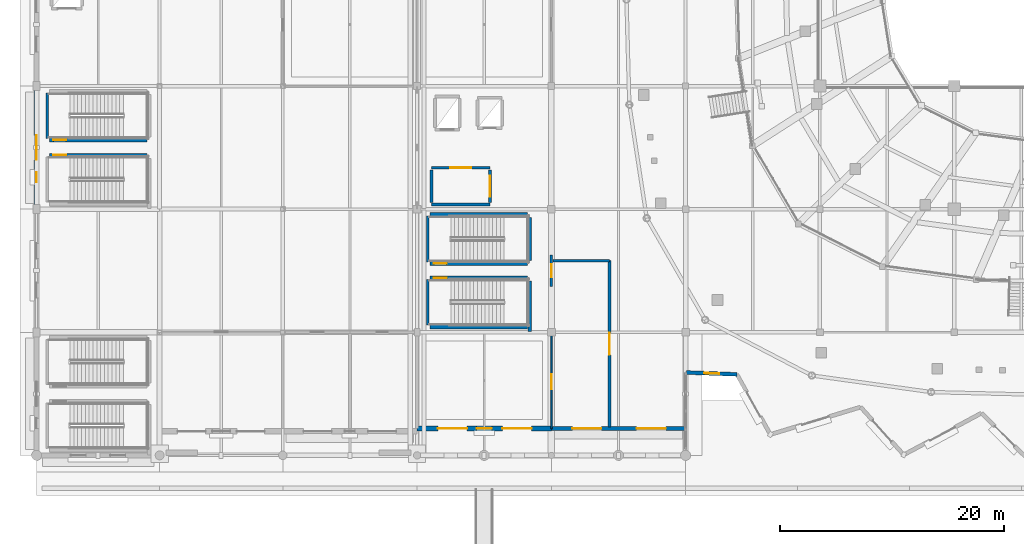
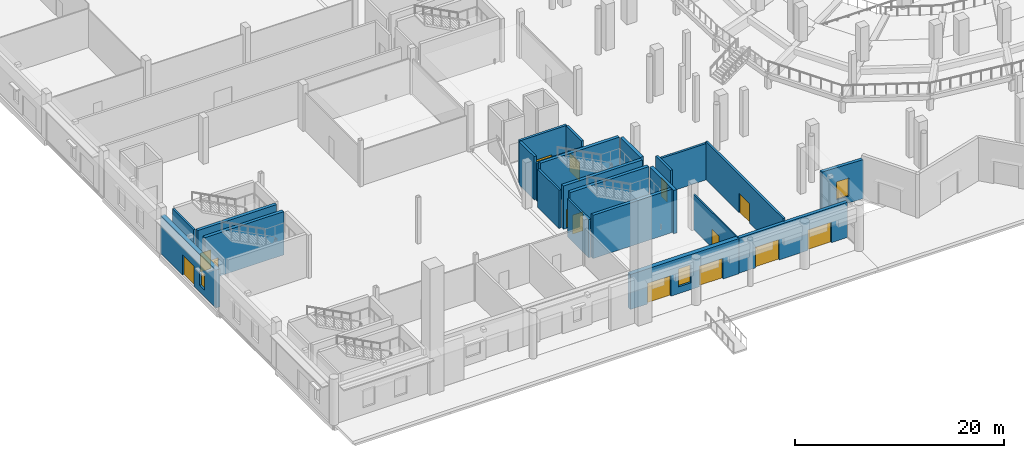
# One storey, part 56 of 120: 23 walls, 14 doors, 3 windows, 17 openings.
"""IFC4 building model written with IfcOpenShell, lengths in metres."""

import ifcopenshell
import ifcopenshell.guid

model = None  # the IFC model being written
_history = None  # IfcOwnerHistory: only IFC2X3 demands one
_inside = {}  # id of a spatial element -> (the spatial element, [elements in it])
_under = {}  # id of a project, library or spatial element -> (it, [spatial elements below it])
_declared = {}  # id of a project -> (the project, [libraries it declares])
_typed = {}  # id of a type object -> (the type object, [elements of that type])
_made_of = {}  # id of a material, layer set ... -> (it, [elements and type objects made of it])


def new_model(schema):
    """Start an empty IFC model of exactly this schema.

    Asked for "IFC4X3", IfcOpenShell would pick the latest addendum, in which some entities
    have other attributes; the version numbers below select the first issue.
    IFC2X3 requires an IfcOwnerHistory on every rooted entity: one is made here for all.
    """
    global model, _history
    if schema == "IFC4X3":
        model = ifcopenshell.file(schema_version=(4, 3, 0, 0))
    else:
        model = ifcopenshell.file(schema=schema)
    _inside.clear()
    _under.clear()
    _declared.clear()
    _typed.clear()
    _made_of.clear()
    _history = None
    if model.schema == "IFC2X3":
        org = make("IfcOrganization", Name="unknown")
        user = make(
            "IfcPersonAndOrganization",
            ThePerson=make("IfcPerson", FamilyName="unknown"),
            TheOrganization=org,
        )
        app = make(
            "IfcApplication",
            ApplicationDeveloper=org,
            Version="unknown",
            ApplicationFullName="unknown",
            ApplicationIdentifier="unknown",
        )
        _history = make(
            "IfcOwnerHistory",
            OwningUser=user,
            OwningApplication=app,
            ChangeAction="ADDED",
            CreationDate=0,
        )
    return model


def make(cls, **values):
    """One entity of the class cls with the attributes given. An attribute that is None is left unset."""
    return model.create_entity(
        cls, **{name: value for name, value in values.items() if value is not None}
    )


def rooted(cls, **values):
    """An entity with a GlobalId (a new one), such as an element, a storey or a relation."""
    return make(cls, GlobalId=ifcopenshell.guid.new(), OwnerHistory=_history, **values)


def si_unit(unit_type, name, prefix=None):
    """IfcSIUnit, for example si_unit("LENGTHUNIT", "METRE", prefix="MILLI")."""
    return make("IfcSIUnit", UnitType=unit_type, Prefix=prefix, Name=name)


def assignment(units):
    """IfcUnitAssignment: the units of a project."""
    return None if units is None else make("IfcUnitAssignment", Units=units)


def point(xyz):
    """IfcCartesianPoint."""
    return None if xyz is None else make("IfcCartesianPoint", Coordinates=xyz)


def direction(xyz):
    """IfcDirection."""
    return None if xyz is None else make("IfcDirection", DirectionRatios=xyz)


def frame(location, z_axis=None, x_axis=None):
    """IfcAxis2Placement3D, a coordinate frame: its origin and axes. An axis left out is left unset."""
    return make(
        "IfcAxis2Placement3D",
        Location=point(location),
        Axis=direction(z_axis),
        RefDirection=direction(x_axis),
    )


def frame_2d(location, x_axis=None):
    """IfcAxis2Placement2D, a coordinate frame in the plane: its origin and x axis."""
    return make(
        "IfcAxis2Placement2D", Location=point(location), RefDirection=direction(x_axis)
    )


def origin():
    """The frame at (0, 0, 0) with its axes left unset."""
    return frame((0.0, 0.0, 0.0))


def place(relative_to, where):
    """IfcLocalPlacement: puts the frame where relative to a parent placement (None: the world)."""
    return make(
        "IfcLocalPlacement", PlacementRelTo=relative_to, RelativePlacement=where
    )


def context(
    kind, dimensions, precision=None, world=None, true_north=None, identifier=None
):
    """IfcGeometricRepresentationContext, for example the 3D "Model" context."""
    return make(
        "IfcGeometricRepresentationContext",
        ContextIdentifier=identifier,
        ContextType=kind,
        CoordinateSpaceDimension=dimensions,
        Precision=precision,
        WorldCoordinateSystem=world,
        TrueNorth=true_north,
    )


def subcontext(parent, identifier, kind, view, scale=None):
    """IfcGeometricRepresentationSubContext, for example "Body" below "Model"."""
    return make(
        "IfcGeometricRepresentationSubContext",
        ContextIdentifier=identifier,
        ContextType=kind,
        ParentContext=parent,
        TargetScale=scale,
        TargetView=view,
    )


def project(units=None, contexts=None):
    """IfcProject with its units and contexts."""
    return rooted(
        "IfcProject",
        Name="project",
        RepresentationContexts=contexts,
        UnitsInContext=assignment(units),
    )


def spatial(cls, under=None, at=None, **own):
    """A site, building, storey or space (cls), placed at a placement, below another one or the project."""
    s = rooted(cls, ObjectPlacement=at, **own)
    if under is not None:
        _under.setdefault(under.id(), (under, []))[1].append(s)
    return s


def profile(cls, at=None, kind="AREA", **sizes):
    """A parametric profile (cls). Its sizes go by their IFC names, for example OverallWidth=200.0."""
    return make(cls, ProfileType=kind, Position=at, **sizes)


def rectangle(**sizes):
    """IfcRectangleProfileDef."""
    return profile("IfcRectangleProfileDef", **sizes)


def extrude(swept, where, along, depth):
    """IfcExtrudedAreaSolid: the profile swept, set in the frame where, extruded along a direction by depth."""
    return make(
        "IfcExtrudedAreaSolid",
        SweptArea=swept,
        Position=where,
        ExtrudedDirection=direction(along),
        Depth=depth,
    )


def shape(context_of_items, identifier, shape_type, items):
    """IfcShapeRepresentation: the items that make up one representation, for example the "Body"."""
    return make(
        "IfcShapeRepresentation",
        ContextOfItems=context_of_items,
        RepresentationIdentifier=identifier,
        RepresentationType=shape_type,
        Items=items,
    )


def material(Name=None, Category=None):
    """IfcMaterial."""
    return make("IfcMaterial", Name=Name, Category=Category)


def layer(
    of_material, thickness, ventilated=None, Name=None, Category=None, Priority=None
):
    """IfcMaterialLayer: one layer of a wall or slab, of a material (None: an air gap)."""
    return make(
        "IfcMaterialLayer",
        Material=of_material,
        LayerThickness=thickness,
        IsVentilated=ventilated,
        Name=Name,
        Category=Category,
        Priority=Priority,
    )


def layer_set(layers, Name=None):
    """IfcMaterialLayerSet."""
    return make("IfcMaterialLayerSet", MaterialLayers=layers, LayerSetName=Name)


def made_of(thing, what):
    """Note that an element or type object is made of a material, layer set ...; save() writes the relation."""
    if what is not None:
        _made_of.setdefault(what.id(), (what, []))[1].append(thing)
    return thing


def type_object(cls, material=None, **own):
    """A type object (cls), such as IfcWallType, which elements share."""
    return made_of(rooted(cls, **own), material)


def element(
    cls,
    number,
    at=None,
    inside=None,
    cuts=None,
    type_object=None,
    material=None,
    context=None,
    identifier="Body",
    shape_type=None,
    held_by="IfcProductDefinitionShape",
    body=None,
    shapes=None,
    **own,
):
    """One element of the class cls, such as IfcWall. Its Tag is "e" and its number.

    at: its placement. inside: the storey or other place that contains it. cuts: it is an
    opening in that element (IfcRelVoidsElement). A single representation is given by context,
    identifier, shape_type and body (its items); several are given by shapes. held_by: the class
    of the entity that holds the representations. save() writes the other relations.
    """
    e = rooted(cls, Tag="e%d" % number, ObjectPlacement=at, **own)
    if body is not None:
        shapes = [shape(context, identifier, shape_type, body)]
    if shapes is not None:
        e.Representation = make(held_by, Representations=shapes)
    if inside is not None:
        _inside.setdefault(inside.id(), (inside, []))[1].append(e)
    if cuts is not None:
        rooted(
            "IfcRelVoidsElement", RelatingBuildingElement=cuts, RelatedOpeningElement=e
        )
    if type_object is not None:
        _typed.setdefault(type_object.id(), (type_object, []))[1].append(e)
    return made_of(e, material)


def fill(opening, filler):
    """IfcRelFillsElement: the door or window that sits in an opening."""
    return rooted(
        "IfcRelFillsElement",
        RelatingOpeningElement=opening,
        RelatedBuildingElement=filler,
    )


def aggregate(whole, parts):
    """IfcRelAggregates: a whole, such as a stair, and the parts it consists of."""
    return rooted("IfcRelAggregates", RelatingObject=whole, RelatedObjects=parts)


def save(model, path):
    """Write the relations noted so far, then the file.

    IfcRelAggregates (storeys below a building ...), IfcRelContainedInSpatialStructure (elements
    in a storey), IfcRelDefinesByType, IfcRelAssociatesMaterial and IfcRelDeclares: one each for
    every whole, place, type object, material and project.
    """
    for whole, parts in _under.values():
        aggregate(whole, parts)
    for where, things in _inside.values():
        rooted(
            "IfcRelContainedInSpatialStructure",
            RelatedElements=things,
            RelatingStructure=where,
        )
    for kind, things in _typed.values():
        rooted("IfcRelDefinesByType", RelatedObjects=things, RelatingType=kind)
    for what, things in _made_of.values():
        rooted("IfcRelAssociatesMaterial", RelatedObjects=things, RelatingMaterial=what)
    for by, libraries in _declared.values():
        rooted("IfcRelDeclares", RelatingContext=by, RelatedDefinitions=libraries)
    model.write(path)


model = new_model("IFC4")

# Units and contexts
model_context = context("Model", 3, precision=1e-05, world=origin(), true_north=direction((0.0, 1.0)))
body_context = subcontext(model_context, "Body", "Model", "MODEL_VIEW")
ifc_project = project(units=[si_unit("LENGTHUNIT", "METRE"), si_unit("AREAUNIT", "SQUARE_METRE"), si_unit("VOLUMEUNIT", "CUBIC_METRE"), si_unit("PLANEANGLEUNIT", "RADIAN"), si_unit("MASSUNIT", "GRAM", prefix="KILO")], contexts=[model_context])

# Site, building, storey
site_placement = place(None, origin())
site = spatial("IfcSite", under=ifc_project, at=site_placement, CompositionType="ELEMENT")
building_placement = place(site_placement, origin())
building = spatial("IfcBuilding", under=site, at=building_placement, Name="Luwafu Chhajja Arena", CompositionType="ELEMENT")
storey_placement = place(building_placement, origin())
storey = spatial("IfcBuildingStorey", under=building, at=storey_placement, Name="L00", CompositionType="ELEMENT", Elevation=0.0)

# Wall, opening, door
ifc_material_1 = material(Name="Concrete blockwork masonry", Category="masonry")
ifc_layer_1 = layer(ifc_material_1, 0.239990234375, Name="Concrete blockwork masonry")
ifc_layer_set_1 = layer_set([ifc_layer_1], Name="Concrete blockwork masonry")
wall_type_1 = type_object("IfcWallType", Name="Compartment Masonry Partition 240", PredefinedType="PARTITIONING", material=ifc_layer_set_1)
wall_1_placement = place(storey_placement, frame((51.199951171875, 2.550048828125, 0.0), z_axis=(0.0, 0.0, 1.0), x_axis=(0.0, 1.0, 0.0)))
wall_1 = element("IfcWall", 1, at=wall_1_placement, inside=storey, type_object=wall_type_1, Name="L00 Protected Exit Passageway EI 120 Wall WXP-C1-E", PredefinedType="PARTITIONING", context=body_context, shape_type="SweptSolid", body=[
    extrude(rectangle(XDim=14.849853515625, YDim=0.239990234375, at=frame_2d((7.4248046875, 0.0))), origin(), (0.0, 0.0, 1.0), 4.4296875),
])
opening_1_placement = place(wall_1_placement, frame((6.425048828125, 0.0, 0.0)))
opening_1 = element("IfcOpeningElement", 2, at=opening_1_placement, cuts=wall_1, Name="Opening DR-08", PredefinedType="OPENING", context=body_context, shape_type="SweptSolid", body=[
    extrude(rectangle(XDim=2.0, YDim=2.25, at=frame_2d((1.0, 1.125))), frame((0.0, 0.1298828125, 0.0), z_axis=(0.0, -1.0, 0.0), x_axis=(1.0, 0.0, 0.0)), (0.0, 0.0, 1.0), 0.260009765625),
])
ifc_material_2 = material(Name="Fire-rated hardwood double leaf", Category="wood")
door_type_1 = type_object("IfcDoorType", Name="DR-08", OperationType="DOUBLE_DOOR_SINGLE_SWING", PredefinedType="DOOR", material=ifc_material_2)
door_1_placement = place(opening_1_placement, origin())
door_1 = element("IfcDoor", 3, at=door_1_placement, inside=storey, type_object=door_type_1, Name="L00 Protected Exit Passageway Fire Door L00-D067", OperationType="DOUBLE_DOOR_SINGLE_SWING", OverallHeight=2.25, OverallWidth=2.0, PredefinedType="DOOR", context=body_context, shape_type="SweptSolid", body=[
    extrude(rectangle(XDim=2.0, YDim=2.25, at=frame_2d((1.0, 1.125))), frame((0.0, 0.02490234375, 0.0), z_axis=(0.0, -1.0, 0.0), x_axis=(1.0, 0.0, 0.0)), (0.0, 0.0, 1.0), 0.050048828125),
])
fill(opening_1, door_1)

# Wall
wall_2_placement = place(storey_placement, frame((46.14990234375, 17.39990234375, 0.0), z_axis=(0.0, 0.0, 1.0), x_axis=(1.0, 0.0, 0.0)))
element("IfcWall", 4, at=wall_2_placement, inside=storey, type_object=wall_type_1, Name="L00 Protected Exit Passageway EI 120 Wall WXP-C1-N", PredefinedType="PARTITIONING", context=body_context, shape_type="SweptSolid", body=[
    extrude(rectangle(XDim=5.050048828125, YDim=0.239990234375, at=frame_2d((2.52490234375, 0.0))), origin(), (0.0, 0.0, 1.0), 4.25),
])

# Wall, opening, door
wall_3_placement = place(storey_placement, frame((46.0, 15.10009765625, 0.0), z_axis=(0.0, 0.0, 1.0), x_axis=(0.0, 1.0, 0.0)))
wall_3 = element("IfcWall", 5, at=wall_3_placement, inside=storey, type_object=wall_type_1, Name="L00 Protected Exit Corridor Mouth Wall WXP-M-C1", PredefinedType="PARTITIONING", context=body_context, shape_type="SweptSolid", body=[
    extrude(rectangle(XDim=2.7998046875, YDim=0.239990234375, at=frame_2d((1.39990234375, 0.0))), origin(), (0.0, 0.0, 1.0), 4.25),
])
opening_2_placement = place(wall_3_placement, frame((0.824951171875, 0.0, 0.0)))
opening_2 = element("IfcOpeningElement", 6, at=opening_2_placement, cuts=wall_3, Name="Opening DR-06", PredefinedType="OPENING", context=body_context, shape_type="SweptSolid", body=[
    extrude(rectangle(XDim=1.14990234375, YDim=2.199951171875, at=frame_2d((0.574951171875, 1.10009765625))), frame((0.0, 0.1298828125, 0.0), z_axis=(0.0, -1.0, 0.0), x_axis=(1.0, 0.0, 0.0)), (0.0, 0.0, 1.0), 0.260009765625),
])
ifc_material_3 = material(Name="Fire-rated hardwood and steel core", Category="steel")
door_type_2 = type_object("IfcDoorType", Name="DR-06", OperationType="NOTDEFINED", PredefinedType="DOOR", material=ifc_material_3)
door_2_placement = place(opening_2_placement, origin())
door_2 = element("IfcDoor", 7, at=door_2_placement, inside=storey, type_object=door_type_2, Name="L00 Protected Exit Corridor Fire Door L00-D074", OperationType="SINGLE_SWING_RIGHT", OverallHeight=2.199951171875, OverallWidth=1.14990234375, PredefinedType="DOOR", context=body_context, shape_type="SweptSolid", body=[
    extrude(rectangle(XDim=1.14990234375, YDim=2.199951171875, at=frame_2d((0.574951171875, 1.10009765625))), frame((0.0, 0.02490234375, 0.0), z_axis=(0.0, -1.0, 0.0), x_axis=(1.0, 0.0, 0.0)), (0.0, 0.0, 1.0), 0.050048828125),
])
fill(opening_2, door_2)

ifc_material_4 = material(Name="Lightweight blockwork partition", Category="masonry")
ifc_layer_2 = layer(ifc_material_4, 0.139892578125, Name="Lightweight blockwork partition")
ifc_layer_set_2 = layer_set([ifc_layer_2], Name="Lightweight blockwork partition")
wall_type_2 = type_object("IfcWallType", Name="Concourse Kiosk Partition 140", PredefinedType="PARTITIONING", material=ifc_layer_set_2)
wall_4_placement = place(storey_placement, frame((46.0, 2.39990234375, 0.0), z_axis=(0.0, 0.0, 1.0), x_axis=(0.0, 1.0, 0.0)))
wall_4 = element("IfcWall", 8, at=wall_4_placement, inside=storey, type_object=wall_type_2, Name="L00 Internal Partition 0156", PredefinedType="PARTITIONING", context=body_context, shape_type="SweptSolid", body=[
    extrude(rectangle(XDim=8.380126953125, YDim=0.139892578125, at=frame_2d((4.18994140625, 0.0))), origin(), (0.0, 0.0, 1.0), 4.10009765625),
])
opening_3_placement = place(wall_4_placement, frame((3.52001953125, 0.0, 0.0)))
opening_3 = element("IfcOpeningElement", 9, at=opening_3_placement, cuts=wall_4, Name="Opening DR-26", PredefinedType="OPENING", context=body_context, shape_type="SweptSolid", body=[
    extrude(rectangle(XDim=1.340087890625, YDim=2.14990234375, at=frame_2d((0.669921875, 1.074951171875))), frame((0.0, 0.079833984375, 0.0), z_axis=(0.0, -1.0, 0.0), x_axis=(1.0, 0.0, 0.0)), (0.0, 0.0, 1.0), 0.159912109375),
])
ifc_material_5 = material(Name="Hardwood service leaf", Category="wood")
door_type_3 = type_object("IfcDoorType", Name="DR-26", OperationType="NOTDEFINED", PredefinedType="DOOR", material=ifc_material_5)
door_3_placement = place(opening_3_placement, origin())
door_3 = element("IfcDoor", 10, at=door_3_placement, inside=storey, type_object=door_type_3, Name="L00 Interior Door L00-D037", OperationType="SINGLE_SWING_LEFT", OverallHeight=2.14990234375, OverallWidth=1.340087890625, PredefinedType="DOOR", context=body_context, shape_type="SweptSolid", body=[
    extrude(rectangle(XDim=1.340087890625, YDim=2.14990234375, at=frame_2d((0.669921875, 1.074951171875))), frame((0.0, 0.02490234375, 0.0), z_axis=(0.0, -1.0, 0.0), x_axis=(1.0, 0.0, 0.0)), (0.0, 0.0, 1.0), 0.050048828125),
])
fill(opening_3, door_3)

ifc_material_6 = material(Name="Concrete C40/50", Category="concrete")
ifc_layer_3 = layer(ifc_material_6, 0.260009765625, Name="Concrete C40/50")
ifc_layer_set_3 = layer_set([ifc_layer_3], Name="Concrete C40/50")
wall_type_3 = type_object("IfcWallType", Name="Firefighting Lobby Wall 260", PredefinedType="SOLIDWALL", material=ifc_layer_set_3)
wall_5_placement = place(storey_placement, frame((35.300048828125, 25.699951171875, 0.0), z_axis=(0.0, 0.0, 1.0), x_axis=(1.0, 0.0, 0.0)))
wall_5 = element("IfcWall", 11, at=wall_5_placement, inside=storey, type_object=wall_type_3, Name="L00 Core C1 Firefighting Lobby Wall N", PredefinedType="SOLIDWALL", context=body_context, shape_type="SweptSolid", body=[
    extrude(rectangle(XDim=5.199951171875, YDim=0.260009765625, at=frame_2d((2.60009765625, 0.0))), origin(), (0.0, 0.0, 1.0), 5.06005859375),
])
opening_4_placement = place(wall_5_placement, frame((1.64990234375, 0.0, 0.0)))
opening_4 = element("IfcOpeningElement", 12, at=opening_4_placement, cuts=wall_5, Name="Opening DR-07", PredefinedType="OPENING", context=body_context, shape_type="SweptSolid", body=[
    extrude(rectangle(XDim=1.89990234375, YDim=2.199951171875, at=frame_2d((0.949951171875, 1.10009765625))), frame((0.0, 0.139892578125, 0.0), z_axis=(0.0, -1.0, 0.0), x_axis=(1.0, 0.0, 0.0)), (0.0, 0.0, 1.0), 0.280029296875),
])
ifc_material_7 = material(Name="Fire-rated hardwood and vision panel", Category="wood")
door_type_4 = type_object("IfcDoorType", Name="DR-07", OperationType="DOUBLE_DOOR_SINGLE_SWING", PredefinedType="DOOR", material=ifc_material_7)
door_4_placement = place(opening_4_placement, origin())
door_4 = element("IfcDoor", 13, at=door_4_placement, inside=storey, type_object=door_type_4, Name="L00 Firefighting Lobby C1 Door L00-D003", OperationType="DOUBLE_DOOR_SINGLE_SWING", OverallHeight=2.199951171875, OverallWidth=1.89990234375, PredefinedType="DOOR", context=body_context, shape_type="SweptSolid", body=[
    extrude(rectangle(XDim=1.89990234375, YDim=2.199951171875, at=frame_2d((0.949951171875, 1.10009765625))), frame((0.0, 0.02490234375, 0.0), z_axis=(0.0, -1.0, 0.0), x_axis=(1.0, 0.0, 0.0)), (0.0, 0.0, 1.0), 0.050048828125),
])
fill(opening_4, door_4)

# Walls
wall_6_placement = place(storey_placement, frame((35.300048828125, 22.39990234375, 0.0), z_axis=(0.0, 0.0, 1.0), x_axis=(1.0, 0.0, 0.0)))
element("IfcWall", 14, at=wall_6_placement, inside=storey, type_object=wall_type_3, Name="L00 Core C1 Firefighting Lobby Wall S", PredefinedType="SOLIDWALL", context=body_context, shape_type="SweptSolid", body=[
    extrude(rectangle(XDim=5.199951171875, YDim=0.260009765625, at=frame_2d((2.60009765625, 0.0))), origin(), (0.0, 0.0, 1.0), 4.437744140625),
])
wall_7_placement = place(storey_placement, frame((35.300048828125, 22.60009765625, 0.0), z_axis=(0.0, 0.0, 1.0), x_axis=(0.0, 1.0, 0.0)))
element("IfcWall", 15, at=wall_7_placement, inside=storey, type_object=wall_type_3, Name="L00 Core C1 Firefighting Lobby Wall W", PredefinedType="SOLIDWALL", context=body_context, shape_type="SweptSolid", body=[
    extrude(rectangle(XDim=2.89990234375, YDim=0.260009765625, at=frame_2d((1.449951171875, 0.0))), origin(), (0.0, 0.0, 1.0), 5.06005859375),
])

# Wall, opening, door
wall_8_placement = place(storey_placement, frame((40.5, 22.60009765625, 0.0), z_axis=(0.0, 0.0, 1.0), x_axis=(0.0, 1.0, 0.0)))
wall_8 = element("IfcWall", 16, at=wall_8_placement, inside=storey, type_object=wall_type_3, Name="L00 Core C1 Firefighting Lobby Wall E", PredefinedType="SOLIDWALL", context=body_context, shape_type="SweptSolid", body=[
    extrude(rectangle(XDim=2.89990234375, YDim=0.260009765625, at=frame_2d((1.449951171875, 0.0))), origin(), (0.0, 0.0, 1.0), 5.06005859375),
])
opening_5_placement = place(wall_8_placement, frame((0.5, 0.0, 0.0)))
opening_5 = element("IfcOpeningElement", 17, at=opening_5_placement, cuts=wall_8, Name="Opening DR-07", PredefinedType="OPENING", context=body_context, shape_type="SweptSolid", body=[
    extrude(rectangle(XDim=1.89990234375, YDim=2.199951171875, at=frame_2d((0.949951171875, 1.10009765625))), frame((0.0, 0.139892578125, 0.0), z_axis=(0.0, -1.0, 0.0), x_axis=(1.0, 0.0, 0.0)), (0.0, 0.0, 1.0), 0.280029296875),
])
door_5_placement = place(opening_5_placement, origin())
door_5 = element("IfcDoor", 18, at=door_5_placement, inside=storey, type_object=door_type_4, Name="L00 Firefighting Lobby C1 Door L00-D004", OperationType="DOUBLE_DOOR_SINGLE_SWING", OverallHeight=2.199951171875, OverallWidth=1.89990234375, PredefinedType="DOOR", context=body_context, shape_type="SweptSolid", body=[
    extrude(rectangle(XDim=1.89990234375, YDim=2.199951171875, at=frame_2d((0.949951171875, 1.10009765625))), frame((0.0, 0.02490234375, 0.0), z_axis=(0.0, -1.0, 0.0), x_axis=(1.0, 0.0, 0.0)), (0.0, 0.0, 1.0), 0.050048828125),
])
fill(opening_5, door_5)

# Wall, openings, window, doors
ifc_layer_4 = layer(ifc_material_6, 0.47998046875, Name="Concrete C40/50")
ifc_layer_set_4 = layer_set([ifc_layer_4], Name="Concrete C40/50")
wall_type_4 = type_object("IfcWallType", Name="Pishtaq Portal Ashlar Wall 480", PredefinedType="SOLIDWALL", material=ifc_layer_set_4)
wall_9_placement = place(storey_placement, frame((34.0, 2.39990234375, 0.0), z_axis=(0.0, 0.0, 1.0), x_axis=(1.0, 0.0, 0.0)))
wall_9 = element("IfcWall", 19, at=wall_9_placement, inside=storey, type_object=wall_type_4, Name="L00 Exterior Wall WEX-L00-068", PredefinedType="SOLIDWALL", context=body_context, shape_type="SweptSolid", body=[
    extrude(rectangle(XDim=12.0, YDim=0.47998046875, at=frame_2d((6.0, 0.0))), origin(), (0.0, 0.0, 1.0), 4.10009765625),
])
opening_6_placement = place(wall_9_placement, frame((1.8701171875, 0.0, 0.0)))
opening_6 = element("IfcOpeningElement", 20, at=opening_6_placement, cuts=wall_9, Name="Opening DR-01", PredefinedType="OPENING", context=body_context, shape_type="SweptSolid", body=[
    extrude(rectangle(XDim=2.60009765625, YDim=2.39990234375, at=frame_2d((1.300048828125, 1.199951171875))), frame((0.0, 0.25, 0.0), z_axis=(0.0, -1.0, 0.0), x_axis=(1.0, 0.0, 0.0)), (0.0, 0.0, 1.0), 0.5),
])
opening_7_placement = place(wall_9_placement, frame((7.6298828125, 0.0, 0.0)))
opening_7 = element("IfcOpeningElement", 21, at=opening_7_placement, cuts=wall_9, Name="Opening DR-01", PredefinedType="OPENING", context=body_context, shape_type="SweptSolid", body=[
    extrude(rectangle(XDim=2.60009765625, YDim=2.39990234375, at=frame_2d((1.300048828125, 1.199951171875))), frame((0.0, 0.25, 0.0), z_axis=(0.0, -1.0, 0.0), x_axis=(1.0, 0.0, 0.0)), (0.0, 0.0, 1.0), 0.5),
])
opening_8_placement = place(wall_9_placement, frame((5.324951171875, 0.0, 0.800048828125)))
opening_8 = element("IfcOpeningElement", 22, at=opening_8_placement, cuts=wall_9, Name="Opening WN-17", PredefinedType="OPENING", context=body_context, shape_type="SweptSolid", body=[
    extrude(rectangle(XDim=1.35009765625, YDim=2.10009765625, at=frame_2d((0.675048828125, 1.050048828125))), frame((0.0, 0.25, 0.0), z_axis=(0.0, -1.0, 0.0), x_axis=(1.0, 0.0, 0.0)), (0.0, 0.0, 1.0), 0.5),
])
ifc_material_8 = material(Name="Solar-control laminated glass", Category="glass")
window_type_1 = type_object("IfcWindowType", Name="Exhibition Mezzanine Lancet Window 1350x2100", PartitioningType="SINGLE_PANEL", PredefinedType="WINDOW", material=ifc_material_8)
window_1_placement = place(opening_8_placement, origin())
window_1 = element("IfcWindow", 23, at=window_1_placement, inside=storey, type_object=window_type_1, Name="L00 Facade Window 268", OverallHeight=2.10009765625, OverallWidth=1.35009765625, PartitioningType="SINGLE_PANEL", PredefinedType="WINDOW", context=body_context, shape_type="SweptSolid", body=[
    extrude(rectangle(XDim=1.35009765625, YDim=2.10009765625, at=frame_2d((0.675048828125, 1.050048828125))), frame((0.0, 0.030029296875, 0.0), z_axis=(0.0, -1.0, 0.0), x_axis=(1.0, 0.0, 0.0)), (0.0, 0.0, 1.0), 0.06005859375),
])
fill(opening_8, window_1)
ifc_material_9 = material(Name="Anodised bronze aluminium and toughened glass", Category="aluminium")
door_type_5 = type_object("IfcDoorType", Name="DR-01", OperationType="DOUBLE_DOOR_SINGLE_SWING", PredefinedType="DOOR", material=ifc_material_9)
door_6_placement = place(opening_6_placement, frame((2.60009765625, 0.0, 0.0), z_axis=(0.0, 0.0, 1.0), x_axis=(-1.0, 0.0, 0.0)))
door_6 = element("IfcDoor", 24, at=door_6_placement, inside=storey, type_object=door_type_5, Name="Stair Exit Discharge Door SX-01", OperationType="DOUBLE_DOOR_SINGLE_SWING", OverallHeight=2.39990234375, OverallWidth=2.60009765625, PredefinedType="DOOR", context=body_context, shape_type="SweptSolid", body=[
    extrude(rectangle(XDim=2.60009765625, YDim=2.39990234375, at=frame_2d((1.300048828125, 1.199951171875))), frame((0.0, 0.02490234375, 0.0), z_axis=(0.0, -1.0, 0.0), x_axis=(1.0, 0.0, 0.0)), (0.0, 0.0, 1.0), 0.050048828125),
])
fill(opening_6, door_6)
door_7_placement = place(opening_7_placement, frame((2.60009765625, 0.0, 0.0), z_axis=(0.0, 0.0, 1.0), x_axis=(-1.0, 0.0, 0.0)))
door_7 = element("IfcDoor", 25, at=door_7_placement, inside=storey, type_object=door_type_5, Name="Stair Exit Discharge Door SX-02", OperationType="DOUBLE_DOOR_SINGLE_SWING", OverallHeight=2.39990234375, OverallWidth=2.60009765625, PredefinedType="DOOR", context=body_context, shape_type="SweptSolid", body=[
    extrude(rectangle(XDim=2.60009765625, YDim=2.39990234375, at=frame_2d((1.300048828125, 1.199951171875))), frame((0.0, 0.02490234375, 0.0), z_axis=(0.0, -1.0, 0.0), x_axis=(1.0, 0.0, 0.0)), (0.0, 0.0, 1.0), 0.050048828125),
])
fill(opening_7, door_7)

# Wall, opening, window
ifc_material_10 = material(Name="Precast concrete C40/50", Category="concrete")
ifc_layer_5 = layer(ifc_material_10, 0.340087890625, Name="Precast concrete C40/50")
ifc_layer_set_5 = layer_set([ifc_layer_5], Name="Precast concrete C40/50")
wall_type_5 = type_object("IfcWallType", Name="Pleated Bowl V-Fold Wall 340", PredefinedType="USERDEFINED", material=ifc_layer_set_5)
wall_10_placement = place(storey_placement, frame((58.080078125, 7.405517578125, 0.0), z_axis=(0.0, 0.0, 1.0), x_axis=(0.999296191983, -0.037511607381, 0.0)))
wall_10 = element("IfcWall", 26, at=wall_10_placement, inside=storey, type_object=wall_type_5, Name="L00 Pleated Bowl V-Fold Wall 41", ObjectType="PLEATED FACADE WALL", PredefinedType="USERDEFINED", context=body_context, shape_type="SweptSolid", body=[
    extrude(rectangle(XDim=4.497314453125, YDim=0.340087890625, at=frame_2d((2.24853515625, 0.0))), origin(), (0.0, 0.0, 1.0), 4.550048828125),
])
opening_9_placement = place(wall_10_placement, frame((1.573486328125, 0.0, 0.800048828125)))
opening_9 = element("IfcOpeningElement", 27, at=opening_9_placement, cuts=wall_10, Name="Opening WN-17", PredefinedType="OPENING", context=body_context, shape_type="SweptSolid", body=[
    extrude(rectangle(XDim=1.35009765625, YDim=2.10009765625, at=frame_2d((0.675048828125, 1.050048828125))), frame((0.0, 0.179931640625, 0.0), z_axis=(0.0, -1.0, 0.0), x_axis=(1.0, 0.0, 0.0)), (0.0, 0.0, 1.0), 0.360107421875),
])
window_2_placement = place(opening_9_placement, origin())
window_2 = element("IfcWindow", 28, at=window_2_placement, inside=storey, type_object=window_type_1, Name="L00 Pleated Bowl Lancet Window 001", OverallHeight=2.10009765625, OverallWidth=1.35009765625, PartitioningType="SINGLE_PANEL", PredefinedType="WINDOW", context=body_context, shape_type="SweptSolid", body=[
    extrude(rectangle(XDim=1.35009765625, YDim=2.10009765625, at=frame_2d((0.675048828125, 1.050048828125))), frame((0.0, 0.030029296875, 0.0), z_axis=(0.0, -1.0, 0.0), x_axis=(1.0, 0.0, 0.0)), (0.0, 0.0, 1.0), 0.06005859375),
])
fill(opening_9, window_2)

# Walls
ifc_layer_6 = layer(ifc_material_6, 0.35009765625, Name="Concrete C40/50")
ifc_layer_set_6 = layer_set([ifc_layer_6], Name="Concrete C40/50")
wall_type_6 = type_object("IfcWallType", Name="RC Core Shear Wall 350", PredefinedType="SOLIDWALL", material=ifc_layer_set_6)
wall_11_placement = place(storey_placement, frame((44.072021484375, 11.050048828125, 0.0), z_axis=(0.0, 0.0, 1.0), x_axis=(0.0, 1.0, 0.0)))
element("IfcWall", 29, at=wall_11_placement, inside=storey, type_object=wall_type_6, Name="L00 Stair ST-01 Core Shear Wall E", PredefinedType="SOLIDWALL", context=body_context, shape_type="SweptSolid", body=[
    extrude(rectangle(XDim=4.5400390625, YDim=0.35009765625, at=frame_2d((2.27001953125, 0.0))), origin(), (0.0, 0.0, 1.0), 5.06005859375),
])
wall_12_placement = place(storey_placement, frame((35.14990234375, 11.47802734375, 0.0), z_axis=(0.0, 0.0, 1.0), x_axis=(1.0, 0.0, 0.0)))
element("IfcWall", 30, at=wall_12_placement, inside=storey, type_object=wall_type_6, Name="L00 Stair ST-01 Core Shear Wall S", PredefinedType="SOLIDWALL", context=body_context, shape_type="SweptSolid", body=[
    extrude(rectangle(XDim=8.7001953125, YDim=0.35009765625, at=frame_2d((4.35009765625, 0.0))), origin(), (0.0, 0.0, 1.0), 5.06005859375),
])

# Wall, opening, door
wall_13_placement = place(storey_placement, frame((35.14990234375, 15.862060546875, 0.0), z_axis=(0.0, 0.0, 1.0), x_axis=(1.0, 0.0, 0.0)))
wall_13 = element("IfcWall", 31, at=wall_13_placement, inside=storey, type_object=wall_type_6, Name="L00 Stair ST-01 Core Shear Wall N", PredefinedType="SOLIDWALL", context=body_context, shape_type="SweptSolid", body=[
    extrude(rectangle(XDim=8.7001953125, YDim=0.35009765625, at=frame_2d((4.35009765625, 0.0))), origin(), (0.0, 0.0, 1.0), 5.06005859375),
])
opening_10_placement = place(wall_13_placement, frame((0.35009765625, 0.0, 0.0)))
opening_10 = element("IfcOpeningElement", 32, at=opening_10_placement, cuts=wall_13, Name="Opening DR-06", PredefinedType="OPENING", context=body_context, shape_type="SweptSolid", body=[
    extrude(rectangle(XDim=1.14990234375, YDim=2.199951171875, at=frame_2d((0.574951171875, 1.10009765625))), frame((0.0, 0.18505859375, 0.0), z_axis=(0.0, -1.0, 0.0), x_axis=(1.0, 0.0, 0.0)), (0.0, 0.0, 1.0), 0.3701171875),
])
door_8_placement = place(opening_10_placement, origin())
door_8 = element("IfcDoor", 33, at=door_8_placement, inside=storey, type_object=door_type_2, Name="L00 Escape Stair ST-01 Fire Door L00-D001", OperationType="SINGLE_SWING_RIGHT", OverallHeight=2.199951171875, OverallWidth=1.14990234375, PredefinedType="DOOR", context=body_context, shape_type="SweptSolid", body=[
    extrude(rectangle(XDim=1.14990234375, YDim=2.199951171875, at=frame_2d((0.574951171875, 1.10009765625))), frame((0.0, 0.02490234375, 0.0), z_axis=(0.0, -1.0, 0.0), x_axis=(1.0, 0.0, 0.0)), (0.0, 0.0, 1.0), 0.050048828125),
])
fill(opening_10, door_8)

# Wall
wall_14_placement = place(storey_placement, frame((44.072021484375, 17.409912109375, 0.0), z_axis=(0.0, 0.0, 1.0), x_axis=(0.0, 1.0, 0.0)))
element("IfcWall", 34, at=wall_14_placement, inside=storey, type_object=wall_type_6, Name="L00 Stair ST-02 Core Shear Wall E", PredefinedType="SOLIDWALL", context=body_context, shape_type="SweptSolid", body=[
    extrude(rectangle(XDim=3.840087890625, YDim=0.35009765625, at=frame_2d((1.919921875, 0.0))), origin(), (0.0, 0.0, 1.0), 5.06005859375),
])

# Wall, opening, door
wall_15_placement = place(storey_placement, frame((35.14990234375, 17.137939453125, 0.0), z_axis=(0.0, 0.0, 1.0), x_axis=(1.0, 0.0, 0.0)))
wall_15 = element("IfcWall", 35, at=wall_15_placement, inside=storey, type_object=wall_type_6, Name="L00 Stair ST-02 Core Shear Wall S", PredefinedType="SOLIDWALL", context=body_context, shape_type="SweptSolid", body=[
    extrude(rectangle(XDim=8.7001953125, YDim=0.35009765625, at=frame_2d((4.35009765625, 0.0))), origin(), (0.0, 0.0, 1.0), 5.06005859375),
])
opening_11_placement = place(wall_15_placement, frame((0.35009765625, 0.0, 0.0)))
opening_11 = element("IfcOpeningElement", 36, at=opening_11_placement, cuts=wall_15, Name="Opening DR-06", PredefinedType="OPENING", context=body_context, shape_type="SweptSolid", body=[
    extrude(rectangle(XDim=1.14990234375, YDim=2.199951171875, at=frame_2d((0.574951171875, 1.10009765625))), frame((0.0, 0.18505859375, 0.0), z_axis=(0.0, -1.0, 0.0), x_axis=(1.0, 0.0, 0.0)), (0.0, 0.0, 1.0), 0.3701171875),
])
door_9_placement = place(opening_11_placement, origin())
door_9 = element("IfcDoor", 37, at=door_9_placement, inside=storey, type_object=door_type_2, Name="L00 Escape Stair ST-02 Fire Door L00-D002", OperationType="SINGLE_SWING_LEFT", OverallHeight=2.199951171875, OverallWidth=1.14990234375, PredefinedType="DOOR", context=body_context, shape_type="SweptSolid", body=[
    extrude(rectangle(XDim=1.14990234375, YDim=2.199951171875, at=frame_2d((0.574951171875, 1.10009765625))), frame((0.0, 0.02490234375, 0.0), z_axis=(0.0, -1.0, 0.0), x_axis=(1.0, 0.0, 0.0)), (0.0, 0.0, 1.0), 0.050048828125),
])
fill(opening_11, door_9)

# Wall
wall_16_placement = place(storey_placement, frame((35.14990234375, 21.52197265625, 0.0), z_axis=(0.0, 0.0, 1.0), x_axis=(1.0, 0.0, 0.0)))
element("IfcWall", 38, at=wall_16_placement, inside=storey, type_object=wall_type_6, Name="L00 Stair ST-02 Core Shear Wall N", PredefinedType="SOLIDWALL", context=body_context, shape_type="SweptSolid", body=[
    extrude(rectangle(XDim=8.7001953125, YDim=0.35009765625, at=frame_2d((4.35009765625, 0.0))), origin(), (0.0, 0.0, 1.0), 5.06005859375),
])

# Wall, opening, door
wall_17_placement = place(storey_placement, frame((1.14990234375, 26.822021484375, 0.0), z_axis=(0.0, 0.0, 1.0), x_axis=(1.0, 0.0, 0.0)))
wall_17 = element("IfcWall", 39, at=wall_17_placement, inside=storey, type_object=wall_type_6, Name="L00 Stair ST-13 Core Shear Wall N", PredefinedType="SOLIDWALL", context=body_context, shape_type="SweptSolid", body=[
    extrude(rectangle(XDim=8.7001953125, YDim=0.35009765625, at=frame_2d((4.35009765625, 0.0))), origin(), (0.0, 0.0, 1.0), 5.06005859375),
])
opening_12_placement = place(wall_17_placement, frame((0.35009765625, 0.0, 0.0)))
opening_12 = element("IfcOpeningElement", 40, at=opening_12_placement, cuts=wall_17, Name="Opening DR-06", PredefinedType="OPENING", context=body_context, shape_type="SweptSolid", body=[
    extrude(rectangle(XDim=1.14990234375, YDim=2.199951171875, at=frame_2d((0.574951171875, 1.10009765625))), frame((0.0, 0.18505859375, 0.0), z_axis=(0.0, -1.0, 0.0), x_axis=(1.0, 0.0, 0.0)), (0.0, 0.0, 1.0), 0.3701171875),
])
door_10_placement = place(opening_12_placement, origin())
door_10 = element("IfcDoor", 41, at=door_10_placement, inside=storey, type_object=door_type_2, Name="L00 Escape Stair ST-13 Fire Door L00-D021", OperationType="SINGLE_SWING_RIGHT", OverallHeight=2.199951171875, OverallWidth=1.14990234375, PredefinedType="DOOR", context=body_context, shape_type="SweptSolid", body=[
    extrude(rectangle(XDim=1.14990234375, YDim=2.199951171875, at=frame_2d((0.574951171875, 1.10009765625))), frame((0.0, 0.02490234375, 0.0), z_axis=(0.0, -1.0, 0.0), x_axis=(1.0, 0.0, 0.0)), (0.0, 0.0, 1.0), 0.050048828125),
])
fill(opening_12, door_10)

wall_18_placement = place(storey_placement, frame((1.14990234375, 28.177978515625, 0.0), z_axis=(0.0, 0.0, 1.0), x_axis=(1.0, 0.0, 0.0)))
wall_18 = element("IfcWall", 42, at=wall_18_placement, inside=storey, type_object=wall_type_6, Name="L00 Stair ST-14 Core Shear Wall S", PredefinedType="SOLIDWALL", context=body_context, shape_type="SweptSolid", body=[
    extrude(rectangle(XDim=8.7001953125, YDim=0.35009765625, at=frame_2d((4.35009765625, 0.0))), origin(), (0.0, 0.0, 1.0), 5.06005859375),
])
opening_13_placement = place(wall_18_placement, frame((0.35009765625, 0.0, 0.0)))
opening_13 = element("IfcOpeningElement", 43, at=opening_13_placement, cuts=wall_18, Name="Opening DR-06", PredefinedType="OPENING", context=body_context, shape_type="SweptSolid", body=[
    extrude(rectangle(XDim=1.14990234375, YDim=2.199951171875, at=frame_2d((0.574951171875, 1.10009765625))), frame((0.0, 0.18505859375, 0.0), z_axis=(0.0, -1.0, 0.0), x_axis=(1.0, 0.0, 0.0)), (0.0, 0.0, 1.0), 0.3701171875),
])
door_11_placement = place(opening_13_placement, origin())
door_11 = element("IfcDoor", 44, at=door_11_placement, inside=storey, type_object=door_type_2, Name="L00 Escape Stair ST-14 Fire Door L00-D022", OperationType="SINGLE_SWING_LEFT", OverallHeight=2.199951171875, OverallWidth=1.14990234375, PredefinedType="DOOR", context=body_context, shape_type="SweptSolid", body=[
    extrude(rectangle(XDim=1.14990234375, YDim=2.199951171875, at=frame_2d((0.574951171875, 1.10009765625))), frame((0.0, 0.02490234375, 0.0), z_axis=(0.0, -1.0, 0.0), x_axis=(1.0, 0.0, 0.0)), (0.0, 0.0, 1.0), 0.050048828125),
])
fill(opening_13, door_11)

# Wall, openings, door, window
ifc_layer_7 = layer(ifc_material_6, 0.449951171875, Name="Concrete C40/50")
ifc_layer_set_7 = layer_set([ifc_layer_7], Name="Concrete C40/50")
wall_type_7 = type_object("IfcWallType", Name="RC Core Shear Wall 450", PredefinedType="SOLIDWALL", material=ifc_layer_set_7)
wall_19_placement = place(storey_placement, frame((0.0, 22.219970703125, 0.0), z_axis=(0.0, 0.0, 1.0), x_axis=(0.0, 1.0, 0.0)))
wall_19 = element("IfcWall", 45, at=wall_19_placement, inside=storey, type_object=wall_type_7, Name="L00 Exterior Wall WEX-L00-057", PredefinedType="SOLIDWALL", context=body_context, shape_type="SweptSolid", body=[
    extrude(rectangle(XDim=10.56005859375, YDim=0.449951171875, at=frame_2d((5.280029296875, 0.0))), origin(), (0.0, 0.0, 1.0), 4.4296875),
])
opening_14_placement = place(wall_19_placement, frame((4.179931640625, 0.0, 0.0)))
opening_14 = element("IfcOpeningElement", 46, at=opening_14_placement, cuts=wall_19, Name="Opening DR-03", PredefinedType="OPENING", context=body_context, shape_type="SweptSolid", body=[
    extrude(rectangle(XDim=2.199951171875, YDim=2.35009765625, at=frame_2d((1.10009765625, 1.175048828125))), frame((0.0, 0.23486328125, 0.0), z_axis=(0.0, -1.0, 0.0), x_axis=(1.0, 0.0, 0.0)), (0.0, 0.0, 1.0), 0.469970703125),
])
opening_15_placement = place(wall_19_placement, frame((2.18994140625, 0.0, 0.800048828125)))
opening_15 = element("IfcOpeningElement", 47, at=opening_15_placement, cuts=wall_19, Name="Opening WN-16", PredefinedType="OPENING", context=body_context, shape_type="SweptSolid", body=[
    extrude(rectangle(XDim=0.89990234375, YDim=1.800048828125, at=frame_2d((0.449951171875, 0.89990234375))), frame((0.0, 0.23486328125, 0.0), z_axis=(0.0, -1.0, 0.0), x_axis=(1.0, 0.0, 0.0)), (0.0, 0.0, 1.0), 0.469970703125),
])
ifc_material_11 = material(Name="Fire-rated bronze aluminium and glazed vision leaves", Category="aluminium")
door_type_6 = type_object("IfcDoorType", Name="DR-03", OperationType="DOUBLE_DOOR_SINGLE_SWING", PredefinedType="DOOR", material=ifc_material_11)
door_12_placement = place(opening_14_placement, origin())
door_12 = element("IfcDoor", 48, at=door_12_placement, inside=storey, type_object=door_type_6, Name="Stair Exit Discharge Door SX-17", OperationType="DOUBLE_DOOR_SINGLE_SWING", OverallHeight=2.35009765625, OverallWidth=2.199951171875, PredefinedType="DOOR", context=body_context, shape_type="SweptSolid", body=[
    extrude(rectangle(XDim=2.199951171875, YDim=2.35009765625, at=frame_2d((1.10009765625, 1.175048828125))), frame((0.0, 0.02490234375, 0.0), z_axis=(0.0, -1.0, 0.0), x_axis=(1.0, 0.0, 0.0)), (0.0, 0.0, 1.0), 0.050048828125),
])
fill(opening_14, door_12)
window_type_2 = type_object("IfcWindowType", Name="Stair Core Daylight Slot Window 900x1800", PartitioningType="SINGLE_PANEL", PredefinedType="WINDOW", material=ifc_material_8)
window_3_placement = place(opening_15_placement, origin())
window_3 = element("IfcWindow", 49, at=window_3_placement, inside=storey, type_object=window_type_2, Name="L00 Facade Window 257", OverallHeight=1.800048828125, OverallWidth=0.89990234375, PartitioningType="SINGLE_PANEL", PredefinedType="WINDOW", context=body_context, shape_type="SweptSolid", body=[
    extrude(rectangle(XDim=0.89990234375, YDim=1.800048828125, at=frame_2d((0.449951171875, 0.89990234375))), frame((0.0, 0.030029296875, 0.0), z_axis=(0.0, -1.0, 0.0), x_axis=(1.0, 0.0, 0.0)), (0.0, 0.0, 1.0), 0.06005859375),
])
fill(opening_15, window_3)

# Wall, openings, doors
ifc_material_12 = material(Name="Concrete C35/45", Category="concrete")
ifc_layer_8 = layer(ifc_material_12, 0.360107421875, Name="Concrete C35/45")
ifc_layer_set_8 = layer_set([ifc_layer_8], Name="Concrete C35/45")
wall_type_8 = type_object("IfcWallType", Name="Sandstone Backed Exterior Wall 360", PredefinedType="SOLIDWALL", material=ifc_layer_set_8)
wall_20_placement = place(storey_placement, frame((46.0, 2.39990234375, 0.0), z_axis=(0.0, 0.0, 1.0), x_axis=(1.0, 0.0, 0.0)))
wall_20 = element("IfcWall", 50, at=wall_20_placement, inside=storey, type_object=wall_type_8, Name="L00 Exterior Wall WEX-L00-072", PredefinedType="SOLIDWALL", context=body_context, shape_type="SweptSolid", body=[
    extrude(rectangle(XDim=12.0, YDim=0.360107421875, at=frame_2d((6.0, 0.0))), origin(), (0.0, 0.0, 1.0), 4.10009765625),
])
opening_16_placement = place(wall_20_placement, frame((1.8701171875, 0.0, 0.0)))
opening_16 = element("IfcOpeningElement", 51, at=opening_16_placement, cuts=wall_20, Name="Opening DR-01", PredefinedType="OPENING", context=body_context, shape_type="SweptSolid", body=[
    extrude(rectangle(XDim=2.60009765625, YDim=2.39990234375, at=frame_2d((1.300048828125, 1.199951171875))), frame((0.0, 0.18994140625, 0.0), z_axis=(0.0, -1.0, 0.0), x_axis=(1.0, 0.0, 0.0)), (0.0, 0.0, 1.0), 0.380126953125),
])
opening_17_placement = place(wall_20_placement, frame((7.6298828125, 0.0, 0.0)))
opening_17 = element("IfcOpeningElement", 52, at=opening_17_placement, cuts=wall_20, Name="Opening DR-01", PredefinedType="OPENING", context=body_context, shape_type="SweptSolid", body=[
    extrude(rectangle(XDim=2.60009765625, YDim=2.39990234375, at=frame_2d((1.300048828125, 1.199951171875))), frame((0.0, 0.18994140625, 0.0), z_axis=(0.0, -1.0, 0.0), x_axis=(1.0, 0.0, 0.0)), (0.0, 0.0, 1.0), 0.380126953125),
])
door_13_placement = place(opening_16_placement, frame((2.60009765625, 0.0, 0.0), z_axis=(0.0, 0.0, 1.0), x_axis=(-1.0, 0.0, 0.0)))
door_13 = element("IfcDoor", 53, at=door_13_placement, inside=storey, type_object=door_type_5, Name="Stair Exit Discharge Door SX-14", OperationType="DOUBLE_DOOR_SINGLE_SWING", OverallHeight=2.39990234375, OverallWidth=2.60009765625, PredefinedType="DOOR", context=body_context, shape_type="SweptSolid", body=[
    extrude(rectangle(XDim=2.60009765625, YDim=2.39990234375, at=frame_2d((1.300048828125, 1.199951171875))), frame((0.0, 0.02490234375, 0.0), z_axis=(0.0, -1.0, 0.0), x_axis=(1.0, 0.0, 0.0)), (0.0, 0.0, 1.0), 0.050048828125),
])
fill(opening_16, door_13)
door_14_placement = place(opening_17_placement, frame((2.60009765625, 0.0, 0.0), z_axis=(0.0, 0.0, 1.0), x_axis=(-1.0, 0.0, 0.0)))
door_14 = element("IfcDoor", 54, at=door_14_placement, inside=storey, type_object=door_type_5, Name="Stair Exit Discharge Door SX-15", OperationType="DOUBLE_DOOR_SINGLE_SWING", OverallHeight=2.39990234375, OverallWidth=2.60009765625, PredefinedType="DOOR", context=body_context, shape_type="SweptSolid", body=[
    extrude(rectangle(XDim=2.60009765625, YDim=2.39990234375, at=frame_2d((1.300048828125, 1.199951171875))), frame((0.0, 0.02490234375, 0.0), z_axis=(0.0, -1.0, 0.0), x_axis=(1.0, 0.0, 0.0)), (0.0, 0.0, 1.0), 0.050048828125),
])
fill(opening_17, door_14)

# Walls
ifc_layer_9 = layer(ifc_material_12, 0.22998046875, Name="Concrete C35/45")
ifc_layer_set_9 = layer_set([ifc_layer_9], Name="Concrete C35/45")
wall_type_9 = type_object("IfcWallType", Name="Stair Enclosure Wall 230", PredefinedType="SOLIDWALL", material=ifc_layer_set_9)
for number, where, z_axis, x_axis, name in (
    (55, (34.9599609375, 11.6298828125, 0.0), (0.0, 0.0, 1.0), (0.0, 1.0, 0.0), "L00 Stair ST-01 Enclosure Wall W"),
    (56, (34.9599609375, 17.2900390625, 0.0), (0.0, 0.0, 1.0), (0.0, 1.0, 0.0), "L00 Stair ST-02 Enclosure Wall W"),
):
    element("IfcWall", number, at=place(storey_placement, frame(where, z_axis=z_axis, x_axis=x_axis)), inside=storey, type_object=wall_type_9, Name=name, PredefinedType="SOLIDWALL", context=body_context, shape_type="SweptSolid", body=[
        extrude(rectangle(XDim=4.080078125, YDim=0.22998046875, at=frame_2d((2.0400390625, 0.0))), origin(), (0.0, 0.0, 1.0), 4.449951171875),
    ])
wall_21_placement = place(storey_placement, frame((0.9599609375, 28.330078125, 0.0), z_axis=(0.0, 0.0, 1.0), x_axis=(0.0, 1.0, 0.0)))
element("IfcWall", 57, at=wall_21_placement, inside=storey, type_object=wall_type_9, Name="L00 Stair ST-14 Enclosure Wall W", PredefinedType="SOLIDWALL", context=body_context, shape_type="SweptSolid", body=[
    extrude(rectangle(XDim=4.0400390625, YDim=0.22998046875, at=frame_2d((2.02001953125, 0.0))), origin(), (0.0, 0.0, 1.0), 5.06005859375),
])

save(model, "model.ifc")
